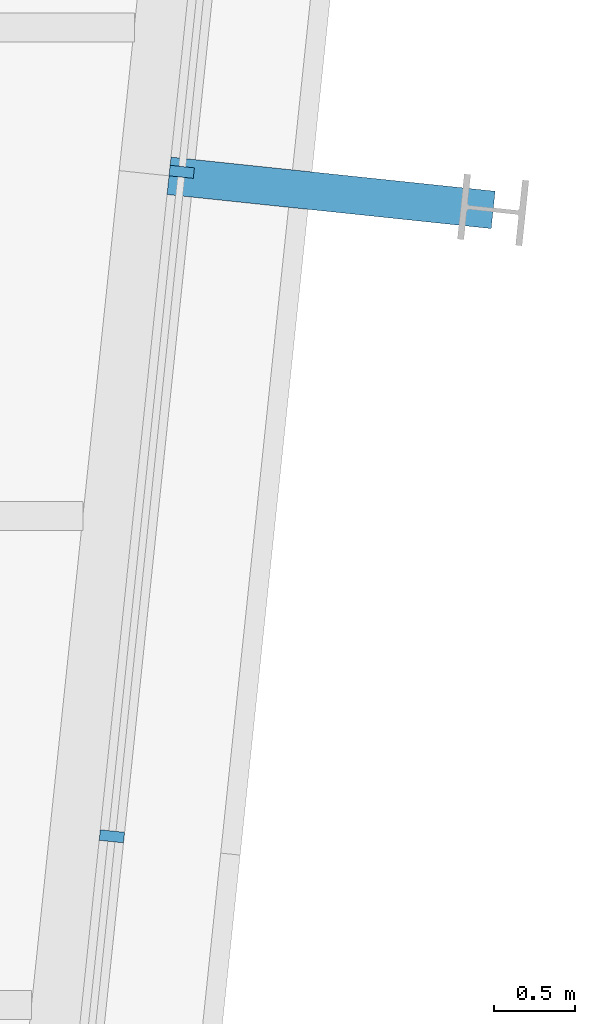
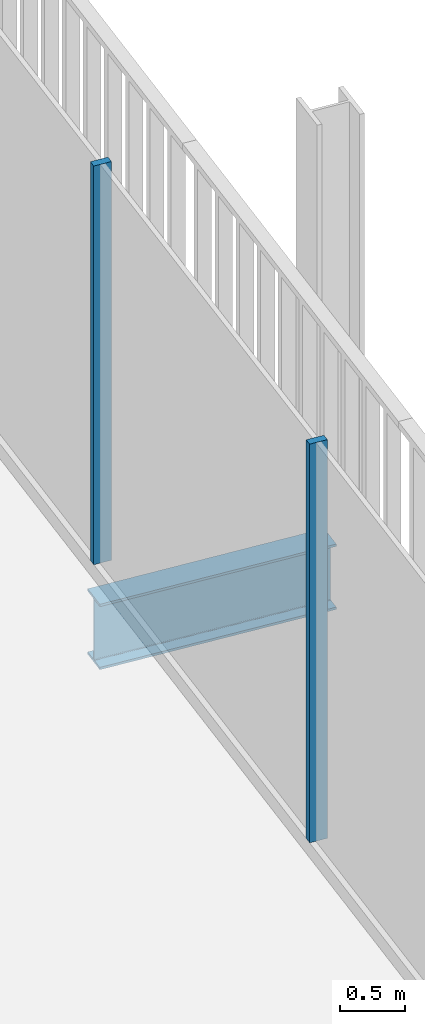
# One storey, part 11 of 20: 2 members, 1 beam, 1 element without a shape of its own.
"""IFC4 building model written with IfcOpenShell, lengths in metres."""

from ifc_helpers import new_model, si_unit, direction, frame, origin, origin_2d, place, context, subcontext, project, spatial, rectangle, i_section, extrude, material, layer, layer_set, material_profile, profile_set, type_object, element, aggregate, save


model = new_model("IFC4")

# Units and contexts
model_context = context("Model", 3, precision=1e-05, world=origin(), true_north=direction((0.0, 1.0)))
body_context = subcontext(model_context, "Body", "Model", "MODEL_VIEW")
ifc_project = project(units=[si_unit("LENGTHUNIT", "METRE"), si_unit("AREAUNIT", "SQUARE_METRE"), si_unit("VOLUMEUNIT", "CUBIC_METRE"), si_unit("PLANEANGLEUNIT", "RADIAN"), si_unit("MASSUNIT", "GRAM", prefix="KILO")], contexts=[model_context])

# Site, building, storey
site_placement = place(None, origin())
site = spatial("IfcSite", under=ifc_project, at=site_placement, CompositionType="ELEMENT")
building_placement = place(site_placement, origin())
building = spatial("IfcBuilding", under=site, at=building_placement, Name="Millrace Tower", CompositionType="ELEMENT")
storey_placement = place(building_placement, frame((0.0, 0.0, 279.89990234375)))
storey = spatial("IfcBuildingStorey", under=building, at=storey_placement, Name="L64", CompositionType="ELEMENT", Elevation=279.89990234375)

# Curtain wall, members
ifc_material_1 = material(Name="Aluminium and glass", Category="aluminium")
ifc_layer = layer(ifc_material_1, 0.14990234375)
ifc_layer_set = layer_set([ifc_layer], Name="Aluminium and glass")
curtain_wall_type = type_object("IfcCurtainWallType", Name="CW-1 office vision curtain wall", PredefinedType="NOTDEFINED", material=ifc_layer_set)
curtain_wall_placement = place(storey_placement, origin())
curtain_wall = element("IfcCurtainWall", 1, at=curtain_wall_placement, inside=storey, type_object=curtain_wall_type, Name="Curtain wall E-F04 L64", PredefinedType="NOTDEFINED")
ifc_material_2 = material(Name="Aluminium", Category="aluminium")
ifc_material_profile_1 = material_profile(ifc_material_2, rectangle(XDim=0.06494140625, YDim=0.14990234375, at=origin_2d()))
ifc_profile_set_1 = profile_set([ifc_material_profile_1], Name="Aluminium")
member_type = type_object("IfcMemberType", Name="CW-1 office vision curtain wall mullion", PredefinedType="MULLION", material=ifc_profile_set_1)
member_1_placement = place(storey_placement, frame((23.11767578125, 4.03515625, 0.14013671875), z_axis=(0.0, 0.0, 1.0), x_axis=(0.104528455196, 0.994521896217, 0.0)))
member_1 = element("IfcMember", 2, at=member_1_placement, type_object=member_type, Name="CW1 mullion E-F04.6", PredefinedType="MULLION", context=body_context, shape_type="SweptSolid", body=[
    extrude(rectangle(XDim=0.06494140625, YDim=0.14990234375, at=origin_2d()), origin(), (0.0, 0.0, 1.0), 3.760009765625),
])
member_2_placement = place(storey_placement, frame((23.546142578125, 8.11279296875, 0.14013671875), z_axis=(0.0, 0.0, 1.0), x_axis=(0.104528455196, 0.994521896217, 0.0)))
member_2 = element("IfcMember", 3, at=member_2_placement, type_object=member_type, Name="CW1 mullion E-F04.7", PredefinedType="MULLION", context=body_context, shape_type="SweptSolid", body=[
    extrude(rectangle(XDim=0.06494140625, YDim=0.14990234375, at=origin_2d()), origin(), (0.0, 0.0, 1.0), 3.760009765625),
])
aggregate(curtain_wall, [member_1, member_2])

# Beam
ifc_material_3 = material(Name="Steel ASTM A992 Grade 50", Category="steel")
ifc_material_profile_2 = material_profile(ifc_material_3, i_section(OverallWidth=0.23046875, OverallDepth=0.6171875, WebThickness=0.01318359375, FlangeThickness=0.022216796875, FilletRadius=0.012939453125, at=origin_2d()))
ifc_profile_set_2 = profile_set([ifc_material_profile_2], Name="Steel ASTM A992 Grade 50")
beam_type = type_object("IfcBeamType", Name="Link beam W24x94", PredefinedType="BEAM", material=ifc_profile_set_2)
beam_placement = place(storey_placement, frame((23.46826171875, 8.08837890625, -0.468505859375), z_axis=(0.994512808172, -0.104614886044, 0.0), x_axis=(0.104614886044, 0.994512808172, 0.0)))
element("IfcBeam", 4, at=beam_placement, inside=storey, type_object=beam_type, Name="LNK-E-L64-S1-10", PredefinedType="BEAM", context=body_context, shape_type="SweptSolid", body=[
    extrude(i_section(OverallWidth=0.23046875, OverallDepth=0.6171875, WebThickness=0.01318359375, FlangeThickness=0.022216796875, FilletRadius=0.012939453125, at=origin_2d()), origin(), (0.0, 0.0, 1.0), 2.0),
])

save(model, "model.ifc")
